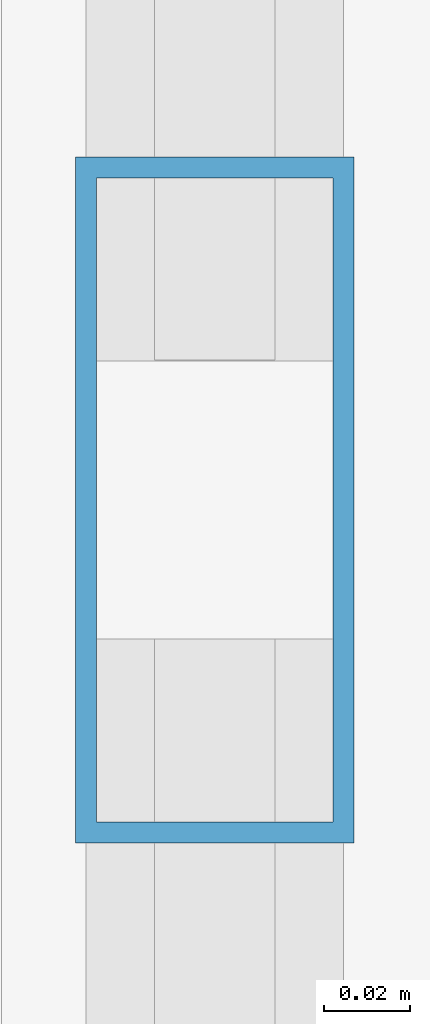
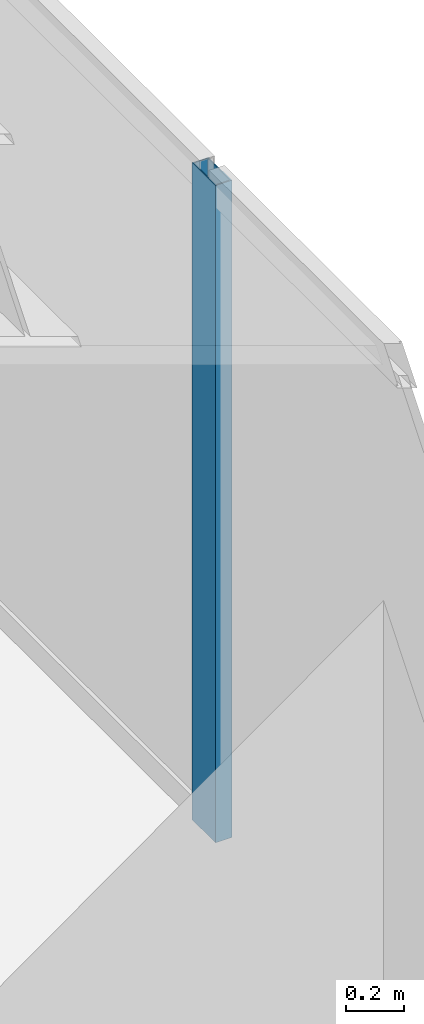
# One storey, part 11 of 28: 1 member, 1 element without a shape of its own.
"""IFC4 building model written with IfcOpenShell, lengths in metres."""

import ifcopenshell
import ifcopenshell.guid

model = None  # the IFC model being written
_history = None  # IfcOwnerHistory: only IFC2X3 demands one
_inside = {}  # id of a spatial element -> (the spatial element, [elements in it])
_under = {}  # id of a project, library or spatial element -> (it, [spatial elements below it])
_declared = {}  # id of a project -> (the project, [libraries it declares])
_typed = {}  # id of a type object -> (the type object, [elements of that type])
_made_of = {}  # id of a material, layer set ... -> (it, [elements and type objects made of it])


def new_model(schema):
    """Start an empty IFC model of exactly this schema.

    Asked for "IFC4X3", IfcOpenShell would pick the latest addendum, in which some entities
    have other attributes; the version numbers below select the first issue.
    IFC2X3 requires an IfcOwnerHistory on every rooted entity: one is made here for all.
    """
    global model, _history
    if schema == "IFC4X3":
        model = ifcopenshell.file(schema_version=(4, 3, 0, 0))
    else:
        model = ifcopenshell.file(schema=schema)
    _inside.clear()
    _under.clear()
    _declared.clear()
    _typed.clear()
    _made_of.clear()
    _history = None
    if model.schema == "IFC2X3":
        org = make("IfcOrganization", Name="unknown")
        user = make(
            "IfcPersonAndOrganization",
            ThePerson=make("IfcPerson", FamilyName="unknown"),
            TheOrganization=org,
        )
        app = make(
            "IfcApplication",
            ApplicationDeveloper=org,
            Version="unknown",
            ApplicationFullName="unknown",
            ApplicationIdentifier="unknown",
        )
        _history = make(
            "IfcOwnerHistory",
            OwningUser=user,
            OwningApplication=app,
            ChangeAction="ADDED",
            CreationDate=0,
        )
    return model


def make(cls, **values):
    """One entity of the class cls with the attributes given. An attribute that is None is left unset."""
    return model.create_entity(
        cls, **{name: value for name, value in values.items() if value is not None}
    )


def rooted(cls, **values):
    """An entity with a GlobalId (a new one), such as an element, a storey or a relation."""
    return make(cls, GlobalId=ifcopenshell.guid.new(), OwnerHistory=_history, **values)


def si_unit(unit_type, name, prefix=None):
    """IfcSIUnit, for example si_unit("LENGTHUNIT", "METRE", prefix="MILLI")."""
    return make("IfcSIUnit", UnitType=unit_type, Prefix=prefix, Name=name)


def assignment(units):
    """IfcUnitAssignment: the units of a project."""
    return None if units is None else make("IfcUnitAssignment", Units=units)


def point(xyz):
    """IfcCartesianPoint."""
    return None if xyz is None else make("IfcCartesianPoint", Coordinates=xyz)


def direction(xyz):
    """IfcDirection."""
    return None if xyz is None else make("IfcDirection", DirectionRatios=xyz)


def frame(location, z_axis=None, x_axis=None):
    """IfcAxis2Placement3D, a coordinate frame: its origin and axes. An axis left out is left unset."""
    return make(
        "IfcAxis2Placement3D",
        Location=point(location),
        Axis=direction(z_axis),
        RefDirection=direction(x_axis),
    )


def frame_2d(location, x_axis=None):
    """IfcAxis2Placement2D, a coordinate frame in the plane: its origin and x axis."""
    return make(
        "IfcAxis2Placement2D", Location=point(location), RefDirection=direction(x_axis)
    )


def origin():
    """The frame at (0, 0, 0) with its axes left unset."""
    return frame((0.0, 0.0, 0.0))


def origin_2d():
    """The frame at (0, 0) in the plane with its x axis left unset."""
    return frame_2d((0.0, 0.0))


def place(relative_to, where):
    """IfcLocalPlacement: puts the frame where relative to a parent placement (None: the world)."""
    return make(
        "IfcLocalPlacement", PlacementRelTo=relative_to, RelativePlacement=where
    )


def context(
    kind, dimensions, precision=None, world=None, true_north=None, identifier=None
):
    """IfcGeometricRepresentationContext, for example the 3D "Model" context."""
    return make(
        "IfcGeometricRepresentationContext",
        ContextIdentifier=identifier,
        ContextType=kind,
        CoordinateSpaceDimension=dimensions,
        Precision=precision,
        WorldCoordinateSystem=world,
        TrueNorth=true_north,
    )


def subcontext(parent, identifier, kind, view, scale=None):
    """IfcGeometricRepresentationSubContext, for example "Body" below "Model"."""
    return make(
        "IfcGeometricRepresentationSubContext",
        ContextIdentifier=identifier,
        ContextType=kind,
        ParentContext=parent,
        TargetScale=scale,
        TargetView=view,
    )


def project(units=None, contexts=None):
    """IfcProject with its units and contexts."""
    return rooted(
        "IfcProject",
        Name="project",
        RepresentationContexts=contexts,
        UnitsInContext=assignment(units),
    )


def spatial(cls, under=None, at=None, **own):
    """A site, building, storey or space (cls), placed at a placement, below another one or the project."""
    s = rooted(cls, ObjectPlacement=at, **own)
    if under is not None:
        _under.setdefault(under.id(), (under, []))[1].append(s)
    return s


def profile(cls, at=None, kind="AREA", **sizes):
    """A parametric profile (cls). Its sizes go by their IFC names, for example OverallWidth=200.0."""
    return make(cls, ProfileType=kind, Position=at, **sizes)


def hollow_rectangle(**sizes):
    """IfcRectangleHollowProfileDef."""
    return profile("IfcRectangleHollowProfileDef", **sizes)


def extrude(swept, where, along, depth):
    """IfcExtrudedAreaSolid: the profile swept, set in the frame where, extruded along a direction by depth."""
    return make(
        "IfcExtrudedAreaSolid",
        SweptArea=swept,
        Position=where,
        ExtrudedDirection=direction(along),
        Depth=depth,
    )


def shape(context_of_items, identifier, shape_type, items):
    """IfcShapeRepresentation: the items that make up one representation, for example the "Body"."""
    return make(
        "IfcShapeRepresentation",
        ContextOfItems=context_of_items,
        RepresentationIdentifier=identifier,
        RepresentationType=shape_type,
        Items=items,
    )


def source(mapping_origin, context_of_items, identifier, shape_type, items):
    """IfcRepresentationMap: a shape defined once, which mapped items show again and again."""
    return make(
        "IfcRepresentationMap",
        MappingOrigin=mapping_origin,
        MappedRepresentation=shape(context_of_items, identifier, shape_type, items),
    )


def transform(
    local_origin,
    x_axis=None,
    y_axis=None,
    z_axis=None,
    scale=None,
    scale2=None,
    scale3=None,
    uniform=True,
):
    """IfcCartesianTransformationOperator3D, or its non-uniform kind. x_axis, y_axis, z_axis: its Axis1, 2, 3."""
    if uniform:
        return make(
            "IfcCartesianTransformationOperator3D",
            Axis1=direction(x_axis),
            Axis2=direction(y_axis),
            LocalOrigin=point(local_origin),
            Scale=scale,
            Axis3=direction(z_axis),
        )
    return make(
        "IfcCartesianTransformationOperator3DnonUniform",
        Axis1=direction(x_axis),
        Axis2=direction(y_axis),
        LocalOrigin=point(local_origin),
        Scale=scale,
        Axis3=direction(z_axis),
        Scale2=scale2,
        Scale3=scale3,
    )


def mapped(mapping_source, mapping_target):
    """IfcMappedItem: shows the shape of a source again, moved by a transform."""
    return make(
        "IfcMappedItem", MappingSource=mapping_source, MappingTarget=mapping_target
    )


def material(Name=None, Category=None):
    """IfcMaterial."""
    return make("IfcMaterial", Name=Name, Category=Category)


def layer(
    of_material, thickness, ventilated=None, Name=None, Category=None, Priority=None
):
    """IfcMaterialLayer: one layer of a wall or slab, of a material (None: an air gap)."""
    return make(
        "IfcMaterialLayer",
        Material=of_material,
        LayerThickness=thickness,
        IsVentilated=ventilated,
        Name=Name,
        Category=Category,
        Priority=Priority,
    )


def layer_set(layers, Name=None):
    """IfcMaterialLayerSet."""
    return make("IfcMaterialLayerSet", MaterialLayers=layers, LayerSetName=Name)


def material_profile(
    of_material, cross_section, Name=None, Category=None, Priority=None
):
    """IfcMaterialProfile: a cross section and its material."""
    return make(
        "IfcMaterialProfile",
        Name=Name,
        Material=of_material,
        Profile=cross_section,
        Priority=Priority,
        Category=Category,
    )


def profile_set(profiles, Name=None, composite=None):
    """IfcMaterialProfileSet."""
    return make(
        "IfcMaterialProfileSet",
        Name=Name,
        MaterialProfiles=profiles,
        CompositeProfile=composite,
    )


def made_of(thing, what):
    """Note that an element or type object is made of a material, layer set ...; save() writes the relation."""
    if what is not None:
        _made_of.setdefault(what.id(), (what, []))[1].append(thing)
    return thing


def type_object(cls, material=None, **own):
    """A type object (cls), such as IfcWallType, which elements share."""
    return made_of(rooted(cls, **own), material)


def element(
    cls,
    number,
    at=None,
    inside=None,
    cuts=None,
    type_object=None,
    material=None,
    context=None,
    identifier="Body",
    shape_type=None,
    held_by="IfcProductDefinitionShape",
    body=None,
    shapes=None,
    **own,
):
    """One element of the class cls, such as IfcWall. Its Tag is "e" and its number.

    at: its placement. inside: the storey or other place that contains it. cuts: it is an
    opening in that element (IfcRelVoidsElement). A single representation is given by context,
    identifier, shape_type and body (its items); several are given by shapes. held_by: the class
    of the entity that holds the representations. save() writes the other relations.
    """
    e = rooted(cls, Tag="e%d" % number, ObjectPlacement=at, **own)
    if body is not None:
        shapes = [shape(context, identifier, shape_type, body)]
    if shapes is not None:
        e.Representation = make(held_by, Representations=shapes)
    if inside is not None:
        _inside.setdefault(inside.id(), (inside, []))[1].append(e)
    if cuts is not None:
        rooted(
            "IfcRelVoidsElement", RelatingBuildingElement=cuts, RelatedOpeningElement=e
        )
    if type_object is not None:
        _typed.setdefault(type_object.id(), (type_object, []))[1].append(e)
    return made_of(e, material)


def aggregate(whole, parts):
    """IfcRelAggregates: a whole, such as a stair, and the parts it consists of."""
    return rooted("IfcRelAggregates", RelatingObject=whole, RelatedObjects=parts)


def save(model, path):
    """Write the relations noted so far, then the file.

    IfcRelAggregates (storeys below a building ...), IfcRelContainedInSpatialStructure (elements
    in a storey), IfcRelDefinesByType, IfcRelAssociatesMaterial and IfcRelDeclares: one each for
    every whole, place, type object, material and project.
    """
    for whole, parts in _under.values():
        aggregate(whole, parts)
    for where, things in _inside.values():
        rooted(
            "IfcRelContainedInSpatialStructure",
            RelatedElements=things,
            RelatingStructure=where,
        )
    for kind, things in _typed.values():
        rooted("IfcRelDefinesByType", RelatedObjects=things, RelatingType=kind)
    for what, things in _made_of.values():
        rooted("IfcRelAssociatesMaterial", RelatedObjects=things, RelatingMaterial=what)
    for by, libraries in _declared.values():
        rooted("IfcRelDeclares", RelatingContext=by, RelatedDefinitions=libraries)
    model.write(path)


model = new_model("IFC4")

# Units and contexts
model_context = context("Model", 3, precision=1e-05, world=origin(), true_north=direction((0.0, 1.0)))
body_context = subcontext(model_context, "Body", "Model", "MODEL_VIEW")
ifc_project = project(units=[si_unit("LENGTHUNIT", "METRE"), si_unit("AREAUNIT", "SQUARE_METRE"), si_unit("VOLUMEUNIT", "CUBIC_METRE"), si_unit("PLANEANGLEUNIT", "RADIAN"), si_unit("MASSUNIT", "GRAM", prefix="KILO")], contexts=[model_context])

# Site, building, storey
site_placement = place(None, origin())
site = spatial("IfcSite", under=ifc_project, at=site_placement, CompositionType="ELEMENT")
building_placement = place(site_placement, origin())
building = spatial("IfcBuilding", under=site, at=building_placement, Name="Sumidabori Civic Tower", CompositionType="ELEMENT")
storey_placement = place(building_placement, frame((0.0, 0.0, 171.199951171875)))
storey = spatial("IfcBuildingStorey", under=building, at=storey_placement, Name="L44", CompositionType="ELEMENT", Elevation=171.199951171875)

# Curtain wall, member
ifc_material = material(Name="Anodised Bronze Aluminium AW-6063-T6", Category="aluminium")
ifc_layer = layer(ifc_material, 0.179931640625, Name="Anodised Bronze Aluminium AW-6063-T6")
ifc_layer_set = layer_set([ifc_layer], Name="Anodised Bronze Aluminium AW-6063-T6")
curtain_wall_type = type_object("IfcCurtainWallType", Name="CW-SYS-3", PredefinedType="NOTDEFINED", material=ifc_layer_set)
curtain_wall_placement = place(storey_placement, origin())
curtain_wall = element("IfcCurtainWall", 1, at=curtain_wall_placement, inside=storey, type_object=curtain_wall_type, Name="Curtain Wall CW:L44:R04", PredefinedType="NOTDEFINED")
ifc_material_profile = material_profile(ifc_material, hollow_rectangle(XDim=0.06494140625, YDim=0.159912109375, WallThickness=0.0048828125, at=origin_2d()), Name="ALU MULLION 160x65")
ifc_profile_set = profile_set([ifc_material_profile], Name="Anodised Bronze Aluminium AW-6063-T6")
member_type = type_object("IfcMemberType", Name="CW-MUL-160", PredefinedType="MULLION", material=ifc_profile_set)
shared_shape = source(origin(), body_context, "Body", "SweptSolid", [
    extrude(hollow_rectangle(XDim=0.06494140625, YDim=0.159912109375, WallThickness=0.0048828125, at=origin_2d()), origin(), (0.0, 0.0, 1.0), 2.760009765625),
])
member_placement = place(storey_placement, frame((23.8798828125, -8.3349609375, 0.0), z_axis=(0.0, 0.0, 1.0), x_axis=(-1.0, 0.0, 0.0)))
member = element("IfcMember", 2, at=member_placement, type_object=member_type, Name="CW-3 mullion 2", PredefinedType="MULLION", context=body_context, shape_type="MappedRepresentation", body=[
    mapped(shared_shape, transform((0.0, 0.0, 0.0), x_axis=(1.0, 0.0, 0.0), y_axis=(0.0, 1.0, 0.0), z_axis=(0.0, 0.0, 1.0), scale=1.0)),
])
aggregate(curtain_wall, [member])

save(model, "model.ifc")
